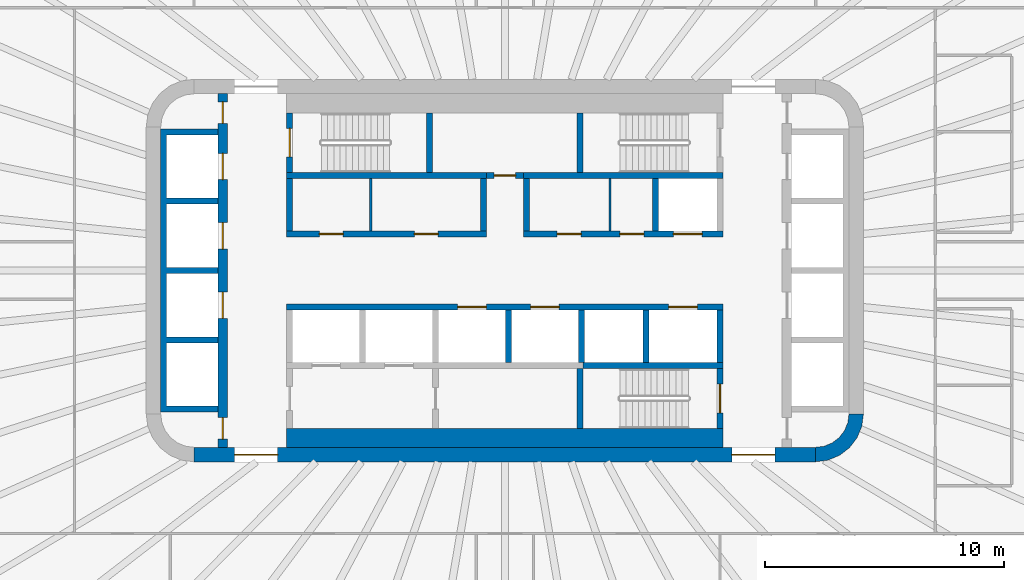
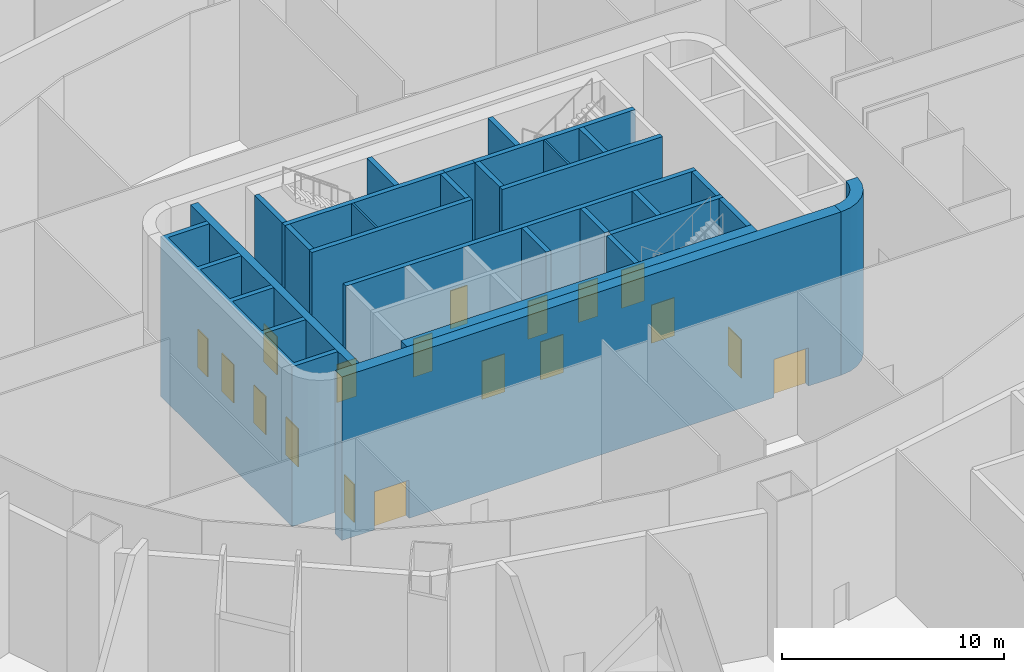
# One storey, part 9 of 35: 27 walls, 18 doors, 18 openings.
"""IFC4 building model written with IfcOpenShell, lengths in metres."""

from ifc_helpers import new_model, si_unit, direction, frame, frame_2d, origin, place, context, subcontext, project, spatial, polyline, rectangle, outline, extrude, material, layer, layer_set, type_object, element, fill, save


model = new_model("IFC4")

# Units and contexts
model_context = context("Model", 3, precision=1e-05, world=origin(), true_north=direction((0.0, 1.0)))
body_context = subcontext(model_context, "Body", "Model", "MODEL_VIEW")
ifc_project = project(units=[si_unit("LENGTHUNIT", "METRE"), si_unit("AREAUNIT", "SQUARE_METRE"), si_unit("VOLUMEUNIT", "CUBIC_METRE"), si_unit("PLANEANGLEUNIT", "RADIAN"), si_unit("MASSUNIT", "GRAM", prefix="KILO")], contexts=[model_context])

# Site, building, storey
site_placement = place(None, origin())
site = spatial("IfcSite", under=ifc_project, at=site_placement, CompositionType="ELEMENT")
building_placement = place(site_placement, origin())
building = spatial("IfcBuilding", under=site, at=building_placement, Name="Sahrelin Media Tower", CompositionType="ELEMENT")
storey_placement = place(building_placement, frame((0.0, 0.0, 8.0)))
storey = spatial("IfcBuildingStorey", under=building, at=storey_placement, Name="L01", CompositionType="ELEMENT", Elevation=8.0)

# Wall, openings, doors
ifc_material_1 = material(Name="Concrete C60/75", Category="concrete")
ifc_layer_1 = layer(ifc_material_1, 0.60009765625)
ifc_layer_set_1 = layer_set([ifc_layer_1], Name="Core wall 600")
wall_type_1 = type_object("IfcWallType", Name="Core wall 600", PredefinedType="SHEAR", material=ifc_layer_set_1)
wall_1_placement = place(storey_placement, frame((-13.0, -7.699951171875, 0.0), z_axis=(0.0, 0.0, 1.0), x_axis=(1.0, 0.0, 0.0)))
wall_1 = element("IfcWall", 1, at=wall_1_placement, inside=storey, type_object=wall_type_1, Name="Core wall S L01", PredefinedType="SHEAR", context=body_context, shape_type="SweptSolid", body=[
    extrude(rectangle(XDim=26.0, YDim=0.60009765625, at=frame_2d((13.0, 0.0))), origin(), (0.0, 0.0, 1.0), 9.0),
])
opening_1_placement = place(wall_1_placement, frame((1.699951171875, 0.0, 0.0)))
opening_1 = element("IfcOpeningElement", 2, at=opening_1_placement, cuts=wall_1, Name="Opening L01-D17", PredefinedType="OPENING", context=body_context, shape_type="SweptSolid", body=[
    extrude(rectangle(XDim=1.800048828125, YDim=2.10009765625, at=frame_2d((0.89990234375, 1.050048828125))), frame((0.0, 0.300048828125, 0.0), z_axis=(0.0, -1.0, 0.0), x_axis=(1.0, 0.0, 0.0)), (0.0, 0.0, 1.0), 0.60009765625),
])
opening_2_placement = place(wall_1_placement, frame((22.5, 0.0, 0.0)))
opening_2 = element("IfcOpeningElement", 3, at=opening_2_placement, cuts=wall_1, Name="Opening L01-D18", PredefinedType="OPENING", context=body_context, shape_type="SweptSolid", body=[
    extrude(rectangle(XDim=1.800048828125, YDim=2.10009765625, at=frame_2d((0.89990234375, 1.050048828125))), frame((0.0, 0.300048828125, 0.0), z_axis=(0.0, -1.0, 0.0), x_axis=(1.0, 0.0, 0.0)), (0.0, 0.0, 1.0), 0.60009765625),
])
ifc_material_2 = material(Name="Steel fire door leaf", Category="steel")
door_type_1 = type_object("IfcDoorType", Name="Lobby double door 1800 x 2100 EI 60", OperationType="DOUBLE_DOOR_SINGLE_SWING", PredefinedType="DOOR", material=ifc_material_2)
door_1_placement = place(opening_1_placement, origin())
door_1 = element("IfcDoor", 4, at=door_1_placement, inside=storey, type_object=door_type_1, Name="Lobby door", OperationType="DOUBLE_DOOR_SINGLE_SWING", OverallHeight=2.10009765625, OverallWidth=1.800048828125, PredefinedType="DOOR", context=body_context, shape_type="SweptSolid", body=[
    extrude(rectangle(XDim=1.800048828125, YDim=2.10009765625, at=frame_2d((0.89990234375, 1.050048828125))), frame((0.0, 0.02490234375, 0.0), z_axis=(0.0, -1.0, 0.0), x_axis=(1.0, 0.0, 0.0)), (0.0, 0.0, 1.0), 0.050048828125),
])
fill(opening_1, door_1)
door_2_placement = place(opening_2_placement, origin())
door_2 = element("IfcDoor", 5, at=door_2_placement, inside=storey, type_object=door_type_1, Name="Lobby door", OperationType="DOUBLE_DOOR_SINGLE_SWING", OverallHeight=2.10009765625, OverallWidth=1.800048828125, PredefinedType="DOOR", context=body_context, shape_type="SweptSolid", body=[
    extrude(rectangle(XDim=1.800048828125, YDim=2.10009765625, at=frame_2d((0.89990234375, 1.050048828125))), frame((0.0, 0.02490234375, 0.0), z_axis=(0.0, -1.0, 0.0), x_axis=(1.0, 0.0, 0.0)), (0.0, 0.0, 1.0), 0.050048828125),
])
fill(opening_2, door_2)

# Wall
placement = place(storey_placement, origin())
element("IfcWall", 6, at=placement, inside=storey, type_object=wall_type_1, Name="Core wall corner SE L01", PredefinedType="SHEAR", context=body_context, shape_type="SweptSolid", body=[
    extrude(outline(polyline([(15.0, -6.0), (14.394775390625, -6.0), (14.347412109375, -6.361083984375), (14.2080078125, -6.697509765625), (13.986328125, -6.986328125), (13.697509765625, -7.2080078125), (13.361083984375, -7.347412109375), (13.0, -7.394775390625), (13.0, -8.0), (13.517578125, -7.931884765625), (14.0, -7.732177734375), (14.414306640625, -7.414306640625), (14.732177734375, -7.0), (14.931884765625, -6.517578125), (15.0, -6.0)])), origin(), (0.0, 0.0, 1.0), 9.0),
])

# Wall, opening, door
ifc_material_3 = material(Name="Fire-rated gypsum board partition")
ifc_layer_2 = layer(ifc_material_3, 0.25)
ifc_layer_set_2 = layer_set([ifc_layer_2], Name="Fire-rated lobby wall 250")
wall_type_2 = type_object("IfcWallType", Name="Fire-rated lobby wall 250", PredefinedType="PARTITIONING", material=ifc_layer_set_2)
wall_3_placement = place(storey_placement, frame((-0.77490234375, 3.97509765625, 0.0), z_axis=(0.0, 0.0, 1.0), x_axis=(1.0, 0.0, 0.0)))
wall_3 = element("IfcWall", 7, at=wall_3_placement, inside=storey, type_object=wall_type_2, Name="Core lobby wall", PredefinedType="PARTITIONING", context=body_context, shape_type="SweptSolid", body=[
    extrude(rectangle(XDim=1.5498046875, YDim=0.25, at=frame_2d((0.77490234375, 0.0))), origin(), (0.0, 0.0, 1.0), 8.800048828125),
])
opening_3_placement = place(wall_3_placement, frame((0.324951171875, 0.0, 0.0)))
opening_3 = element("IfcOpeningElement", 8, at=opening_3_placement, cuts=wall_3, Name="Opening L01-D06", PredefinedType="OPENING", context=body_context, shape_type="SweptSolid", body=[
    extrude(rectangle(XDim=0.89990234375, YDim=2.10009765625, at=frame_2d((0.449951171875, 1.050048828125))), frame((0.0, 0.125, 0.0), z_axis=(0.0, -1.0, 0.0), x_axis=(1.0, 0.0, 0.0)), (0.0, 0.0, 1.0), 0.25),
])
door_type_2 = type_object("IfcDoorType", Name="Riser door 900 x 2100 EI 120", OperationType="NOTDEFINED", PredefinedType="DOOR", material=ifc_material_2)
door_3_placement = place(opening_3_placement, origin())
door_3 = element("IfcDoor", 9, at=door_3_placement, inside=storey, type_object=door_type_2, Name="Core room door", OperationType="SINGLE_SWING_LEFT", OverallHeight=2.10009765625, OverallWidth=0.89990234375, PredefinedType="DOOR", context=body_context, shape_type="SweptSolid", body=[
    extrude(rectangle(XDim=0.89990234375, YDim=2.10009765625, at=frame_2d((0.449951171875, 1.050048828125))), frame((0.0, 0.02490234375, 0.0), z_axis=(0.0, -1.0, 0.0), x_axis=(1.0, 0.0, 0.0)), (0.0, 0.0, 1.0), 0.050048828125),
])
fill(opening_3, door_3)

# Wall, openings, doors
wall_4_placement = place(storey_placement, frame((-9.125, 1.52490234375, 0.0), z_axis=(0.0, 0.0, 1.0), x_axis=(1.0, 0.0, 0.0)))
wall_4 = element("IfcWall", 10, at=wall_4_placement, inside=storey, type_object=wall_type_2, Name="Core lobby wall", PredefinedType="PARTITIONING", context=body_context, shape_type="SweptSolid", body=[
    extrude(rectangle(XDim=8.35009765625, YDim=0.25, at=frame_2d((4.175048828125, 0.0))), origin(), (0.0, 0.0, 1.0), 8.800048828125),
])
opening_4_placement = place(wall_4_placement, frame((1.362548828125, 0.0, 0.0)))
opening_4 = element("IfcOpeningElement", 11, at=opening_4_placement, cuts=wall_4, Name="Opening L01-D07", PredefinedType="OPENING", context=body_context, shape_type="SweptSolid", body=[
    extrude(rectangle(XDim=1.0, YDim=2.10009765625, at=frame_2d((0.5, 1.050048828125))), frame((0.0, 0.125, 0.0), z_axis=(0.0, -1.0, 0.0), x_axis=(1.0, 0.0, 0.0)), (0.0, 0.0, 1.0), 0.25),
])
opening_5_placement = place(wall_4_placement, frame((5.33740234375, 0.0, 0.0)))
opening_5 = element("IfcOpeningElement", 12, at=opening_5_placement, cuts=wall_4, Name="Opening L01-D08", PredefinedType="OPENING", context=body_context, shape_type="SweptSolid", body=[
    extrude(rectangle(XDim=1.0, YDim=2.10009765625, at=frame_2d((0.5, 1.050048828125))), frame((0.0, 0.125, 0.0), z_axis=(0.0, -1.0, 0.0), x_axis=(1.0, 0.0, 0.0)), (0.0, 0.0, 1.0), 0.25),
])
door_type_3 = type_object("IfcDoorType", Name="Fire door 1000 x 2100 EI 60", OperationType="NOTDEFINED", PredefinedType="DOOR", material=ifc_material_2)
door_4_placement = place(opening_4_placement, origin())
door_4 = element("IfcDoor", 13, at=door_4_placement, inside=storey, type_object=door_type_3, Name="Core room door", OperationType="SINGLE_SWING_LEFT", OverallHeight=2.10009765625, OverallWidth=1.0, PredefinedType="DOOR", context=body_context, shape_type="SweptSolid", body=[
    extrude(rectangle(XDim=1.0, YDim=2.10009765625, at=frame_2d((0.5, 1.050048828125))), frame((0.0, 0.02490234375, 0.0), z_axis=(0.0, -1.0, 0.0), x_axis=(1.0, 0.0, 0.0)), (0.0, 0.0, 1.0), 0.050048828125),
])
fill(opening_4, door_4)
door_5_placement = place(opening_5_placement, origin())
door_5 = element("IfcDoor", 14, at=door_5_placement, inside=storey, type_object=door_type_3, Name="Core room door", OperationType="SINGLE_SWING_LEFT", OverallHeight=2.10009765625, OverallWidth=1.0, PredefinedType="DOOR", context=body_context, shape_type="SweptSolid", body=[
    extrude(rectangle(XDim=1.0, YDim=2.10009765625, at=frame_2d((0.5, 1.050048828125))), frame((0.0, 0.02490234375, 0.0), z_axis=(0.0, -1.0, 0.0), x_axis=(1.0, 0.0, 0.0)), (0.0, 0.0, 1.0), 0.050048828125),
])
fill(opening_5, door_5)

# Walls
for number, where, z_axis, x_axis, name in (
    (15, (-9.0, 1.64990234375, 0.0), (0.0, 0.0, 1.0), (0.0, 1.0, 0.0), "Core lobby wall"),
    (16, (-0.89990234375, 1.64990234375, 0.0), (0.0, 0.0, 1.0), (0.0, 1.0, 0.0), "Core lobby wall"),
    (17, (0.89990234375, 1.64990234375, 0.0), (0.0, 0.0, 1.0), (0.0, 1.0, 0.0), "Core lobby wall"),
):
    element("IfcWall", number, at=place(storey_placement, frame(where, z_axis=z_axis, x_axis=x_axis)), inside=storey, type_object=wall_type_2, Name=name, PredefinedType="PARTITIONING", context=body_context, shape_type="SweptSolid", body=[
        extrude(rectangle(XDim=2.2001953125, YDim=0.25, at=frame_2d((1.10009765625, 0.0))), origin(), (0.0, 0.0, 1.0), 8.800048828125),
    ])
ifc_layer_3 = layer(ifc_material_3, 0.10009765625)
ifc_layer_set_3 = layer_set([ifc_layer_3], Name="Fire-rated partition 100")
wall_type_3 = type_object("IfcWallType", Name="Fire-rated partition 100", PredefinedType="PARTITIONING", material=ifc_layer_set_3)
for number, where, z_axis, x_axis, name in (
    (18, (-5.60009765625, 1.64990234375, 0.0), (0.0, 0.0, 1.0), (0.0, 1.0, 0.0), "Core room partition"),
    (19, (4.39990234375, 1.64990234375, 0.0), (0.0, 0.0, 1.0), (0.0, 1.0, 0.0), "Core room partition"),
):
    element("IfcWall", number, at=place(storey_placement, frame(where, z_axis=z_axis, x_axis=x_axis)), inside=storey, type_object=wall_type_3, Name=name, PredefinedType="PARTITIONING", context=body_context, shape_type="SweptSolid", body=[
        extrude(rectangle(XDim=2.2001953125, YDim=0.10009765625, at=frame_2d((1.10009765625, 0.0))), origin(), (0.0, 0.0, 1.0), 8.800048828125),
    ])

# Wall, openings, doors
ifc_layer_4 = layer(ifc_material_1, 0.25)
ifc_layer_set_4 = layer_set([ifc_layer_4], Name="Lift shaft wall 250")
wall_type_4 = type_object("IfcWallType", Name="Lift shaft wall 250", PredefinedType="SOLIDWALL", material=ifc_layer_set_4)
wall_5_placement = place(storey_placement, frame((0.77490234375, 1.52490234375, 0.0), z_axis=(0.0, 0.0, 1.0), x_axis=(1.0, 0.0, 0.0)))
wall_5 = element("IfcWall", 20, at=wall_5_placement, inside=storey, type_object=wall_type_4, Name="Lift shaft wall", PredefinedType="SOLIDWALL", context=body_context, shape_type="SweptSolid", body=[
    extrude(rectangle(XDim=8.35009765625, YDim=0.25, at=frame_2d((4.175048828125, 0.0))), origin(), (0.0, 0.0, 1.0), 8.800048828125),
])
opening_6_placement = place(wall_5_placement, frame((6.27490234375, 0.0, 0.0)))
opening_6 = element("IfcOpeningElement", 21, at=opening_6_placement, cuts=wall_5, Name="Opening L01-LD-PR2", PredefinedType="OPENING", context=body_context, shape_type="SweptSolid", body=[
    extrude(rectangle(XDim=1.199951171875, YDim=2.10009765625, at=frame_2d((0.60009765625, 1.050048828125))), frame((0.0, 0.125, 0.0), z_axis=(0.0, -1.0, 0.0), x_axis=(1.0, 0.0, 0.0)), (0.0, 0.0, 1.0), 0.25),
])
opening_7_placement = place(wall_5_placement, frame((1.41259765625, 0.0, 0.0)))
opening_7 = element("IfcOpeningElement", 22, at=opening_7_placement, cuts=wall_5, Name="Opening L01-D09", PredefinedType="OPENING", context=body_context, shape_type="SweptSolid", body=[
    extrude(rectangle(XDim=1.0, YDim=2.10009765625, at=frame_2d((0.5, 1.050048828125))), frame((0.0, 0.125, 0.0), z_axis=(0.0, -1.0, 0.0), x_axis=(1.0, 0.0, 0.0)), (0.0, 0.0, 1.0), 0.25),
])
opening_8_placement = place(wall_5_placement, frame((4.03759765625, 0.0, 0.0)))
opening_8 = element("IfcOpeningElement", 23, at=opening_8_placement, cuts=wall_5, Name="Opening L01-D10", PredefinedType="OPENING", context=body_context, shape_type="SweptSolid", body=[
    extrude(rectangle(XDim=1.0, YDim=2.10009765625, at=frame_2d((0.5, 1.050048828125))), frame((0.0, 0.125, 0.0), z_axis=(0.0, -1.0, 0.0), x_axis=(1.0, 0.0, 0.0)), (0.0, 0.0, 1.0), 0.25),
])
door_6_placement = place(opening_7_placement, origin())
door_6 = element("IfcDoor", 24, at=door_6_placement, inside=storey, type_object=door_type_3, Name="Core room door", OperationType="SINGLE_SWING_LEFT", OverallHeight=2.10009765625, OverallWidth=1.0, PredefinedType="DOOR", context=body_context, shape_type="SweptSolid", body=[
    extrude(rectangle(XDim=1.0, YDim=2.10009765625, at=frame_2d((0.5, 1.050048828125))), frame((0.0, 0.02490234375, 0.0), z_axis=(0.0, -1.0, 0.0), x_axis=(1.0, 0.0, 0.0)), (0.0, 0.0, 1.0), 0.050048828125),
])
fill(opening_7, door_6)
door_7_placement = place(opening_8_placement, origin())
door_7 = element("IfcDoor", 25, at=door_7_placement, inside=storey, type_object=door_type_3, Name="Core room door", OperationType="SINGLE_SWING_LEFT", OverallHeight=2.10009765625, OverallWidth=1.0, PredefinedType="DOOR", context=body_context, shape_type="SweptSolid", body=[
    extrude(rectangle(XDim=1.0, YDim=2.10009765625, at=frame_2d((0.5, 1.050048828125))), frame((0.0, 0.02490234375, 0.0), z_axis=(0.0, -1.0, 0.0), x_axis=(1.0, 0.0, 0.0)), (0.0, 0.0, 1.0), 0.050048828125),
])
fill(opening_8, door_7)
ifc_material_4 = material(Name="Stainless steel", Category="steel")
door_type_4 = type_object("IfcDoorType", Name="Lift landing door 1200 x 2100 EI 120", OperationType="DOUBLE_DOOR_SLIDING", PredefinedType="DOOR", material=ifc_material_4)
door_8_placement = place(opening_6_placement, origin())
door_8 = element("IfcDoor", 26, at=door_8_placement, inside=storey, type_object=door_type_4, Name="Lift landing door PR2", OperationType="DOUBLE_DOOR_SLIDING", OverallHeight=2.10009765625, OverallWidth=1.199951171875, PredefinedType="DOOR", context=body_context, shape_type="SweptSolid", body=[
    extrude(rectangle(XDim=1.199951171875, YDim=2.10009765625, at=frame_2d((0.60009765625, 1.050048828125))), frame((0.0, 0.02490234375, 0.0), z_axis=(0.0, -1.0, 0.0), x_axis=(1.0, 0.0, 0.0)), (0.0, 0.0, 1.0), 0.050048828125),
])
fill(opening_6, door_8)

# Wall
wall_6_placement = place(storey_placement, frame((6.300048828125, 1.64990234375, 0.0), z_axis=(0.0, 0.0, 1.0), x_axis=(0.0, 1.0, 0.0)))
element("IfcWall", 27, at=wall_6_placement, inside=storey, type_object=wall_type_4, Name="Lift shaft wall", PredefinedType="SOLIDWALL", context=body_context, shape_type="SweptSolid", body=[
    extrude(rectangle(XDim=2.2001953125, YDim=0.25, at=frame_2d((1.10009765625, 0.0))), origin(), (0.0, 0.0, 1.0), 8.800048828125),
])

# Wall, openings, doors
wall_7_placement = place(storey_placement, frame((-9.125, -1.52490234375, 0.0), z_axis=(0.0, 0.0, 1.0), x_axis=(1.0, 0.0, 0.0)))
wall_7 = element("IfcWall", 28, at=wall_7_placement, inside=storey, type_object=wall_type_4, Name="Lift shaft wall", PredefinedType="SOLIDWALL", context=body_context, shape_type="SweptSolid", body=[
    extrude(rectangle(XDim=18.25, YDim=0.25, at=frame_2d((9.125, 0.0))), origin(), (0.0, 0.0, 1.0), 8.800048828125),
])
opening_9_placement = place(wall_7_placement, frame((7.14990234375, 0.0, 0.0)))
opening_9 = element("IfcOpeningElement", 29, at=opening_9_placement, cuts=wall_7, Name="Opening L01-LD-SV1", PredefinedType="OPENING", context=body_context, shape_type="SweptSolid", body=[
    extrude(rectangle(XDim=1.199951171875, YDim=2.10009765625, at=frame_2d((0.60009765625, 1.050048828125))), frame((0.0, 0.125, 0.0), z_axis=(0.0, -1.0, 0.0), x_axis=(1.0, 0.0, 0.0)), (0.0, 0.0, 1.0), 0.25),
])
opening_10_placement = place(wall_7_placement, frame((10.199951171875, 0.0, 0.0)))
opening_10 = element("IfcOpeningElement", 30, at=opening_10_placement, cuts=wall_7, Name="Opening L01-LD-SV2", PredefinedType="OPENING", context=body_context, shape_type="SweptSolid", body=[
    extrude(rectangle(XDim=1.199951171875, YDim=2.10009765625, at=frame_2d((0.60009765625, 1.050048828125))), frame((0.0, 0.125, 0.0), z_axis=(0.0, -1.0, 0.0), x_axis=(1.0, 0.0, 0.0)), (0.0, 0.0, 1.0), 0.25),
])
opening_11_placement = place(wall_7_placement, frame((15.97509765625, 0.0, 0.0)))
opening_11 = element("IfcOpeningElement", 31, at=opening_11_placement, cuts=wall_7, Name="Opening L01-LD-PR1", PredefinedType="OPENING", context=body_context, shape_type="SweptSolid", body=[
    extrude(rectangle(XDim=1.199951171875, YDim=2.10009765625, at=frame_2d((0.60009765625, 1.050048828125))), frame((0.0, 0.125, 0.0), z_axis=(0.0, -1.0, 0.0), x_axis=(1.0, 0.0, 0.0)), (0.0, 0.0, 1.0), 0.25),
])
door_9_placement = place(opening_9_placement, origin())
door_9 = element("IfcDoor", 32, at=door_9_placement, inside=storey, type_object=door_type_4, Name="Lift landing door SV1", OperationType="DOUBLE_DOOR_SLIDING", OverallHeight=2.10009765625, OverallWidth=1.199951171875, PredefinedType="DOOR", context=body_context, shape_type="SweptSolid", body=[
    extrude(rectangle(XDim=1.199951171875, YDim=2.10009765625, at=frame_2d((0.60009765625, 1.050048828125))), frame((0.0, 0.02490234375, 0.0), z_axis=(0.0, -1.0, 0.0), x_axis=(1.0, 0.0, 0.0)), (0.0, 0.0, 1.0), 0.050048828125),
])
fill(opening_9, door_9)
door_10_placement = place(opening_10_placement, origin())
door_10 = element("IfcDoor", 33, at=door_10_placement, inside=storey, type_object=door_type_4, Name="Lift landing door SV2", OperationType="DOUBLE_DOOR_SLIDING", OverallHeight=2.10009765625, OverallWidth=1.199951171875, PredefinedType="DOOR", context=body_context, shape_type="SweptSolid", body=[
    extrude(rectangle(XDim=1.199951171875, YDim=2.10009765625, at=frame_2d((0.60009765625, 1.050048828125))), frame((0.0, 0.02490234375, 0.0), z_axis=(0.0, -1.0, 0.0), x_axis=(1.0, 0.0, 0.0)), (0.0, 0.0, 1.0), 0.050048828125),
])
fill(opening_10, door_10)
door_11_placement = place(opening_11_placement, origin())
door_11 = element("IfcDoor", 34, at=door_11_placement, inside=storey, type_object=door_type_4, Name="Lift landing door PR1", OperationType="DOUBLE_DOOR_SLIDING", OverallHeight=2.10009765625, OverallWidth=1.199951171875, PredefinedType="DOOR", context=body_context, shape_type="SweptSolid", body=[
    extrude(rectangle(XDim=1.199951171875, YDim=2.10009765625, at=frame_2d((0.60009765625, 1.050048828125))), frame((0.0, 0.02490234375, 0.0), z_axis=(0.0, -1.0, 0.0), x_axis=(1.0, 0.0, 0.0)), (0.0, 0.0, 1.0), 0.050048828125),
])
fill(opening_11, door_11)

# Walls
wall_8_placement = place(storey_placement, frame((3.27490234375, -3.97509765625, 0.0), z_axis=(0.0, 0.0, 1.0), x_axis=(1.0, 0.0, 0.0)))
element("IfcWall", 35, at=wall_8_placement, inside=storey, type_object=wall_type_4, Name="Lift shaft wall", PredefinedType="SOLIDWALL", context=body_context, shape_type="SweptSolid", body=[
    extrude(rectangle(XDim=5.85009765625, YDim=0.25, at=frame_2d((2.925048828125, 0.0))), origin(), (0.0, 0.0, 1.0), 8.800048828125),
])
for number, where, z_axis, x_axis, name in (
    (36, (0.14990234375, -3.85009765625, 0.0), (0.0, 0.0, 1.0), (0.0, 1.0, 0.0), "Lift shaft wall"),
    (37, (3.199951171875, -3.85009765625, 0.0), (0.0, 0.0, 1.0), (0.0, 1.0, 0.0), "Lift shaft wall"),
    (38, (5.89990234375, -3.85009765625, 0.0), (0.0, 0.0, 1.0), (0.0, 1.0, 0.0), "Lift shaft wall"),
    (39, (9.0, -3.85009765625, 0.0), (0.0, 0.0, 1.0), (0.0, 1.0, 0.0), "Lift shaft wall"),
):
    element("IfcWall", number, at=place(storey_placement, frame(where, z_axis=z_axis, x_axis=x_axis)), inside=storey, type_object=wall_type_4, Name=name, PredefinedType="SOLIDWALL", context=body_context, shape_type="SweptSolid", body=[
        extrude(rectangle(XDim=2.2001953125, YDim=0.25, at=frame_2d((1.10009765625, 0.0))), origin(), (0.0, 0.0, 1.0), 8.800048828125),
    ])
element("IfcWall", 40, at=placement, inside=storey, type_object=wall_type_4, Name="Lift shaft wall", PredefinedType="SOLIDWALL", context=body_context, shape_type="SweptSolid", body=[
    extrude(outline(polyline([(-12.0, -5.925048828125), (-12.0, -5.675048828125), (-14.14990234375, -5.675048828125), (-14.14990234375, -3.02490234375), (-12.0, -3.02490234375), (-12.0, -2.77490234375), (-14.14990234375, -2.77490234375), (-14.14990234375, -0.125), (-12.0, -0.125), (-12.0, 0.125), (-14.14990234375, 0.125), (-14.14990234375, 2.77490234375), (-12.0, 2.77490234375), (-12.0, 3.02490234375), (-14.14990234375, 3.02490234375), (-14.14990234375, 5.675048828125), (-12.0, 5.675048828125), (-12.0, 5.925048828125), (-14.14990234375, 5.925048828125), (-14.39990234375, 5.925048828125), (-14.39990234375, 5.675048828125), (-14.39990234375, 3.02490234375), (-14.39990234375, 2.77490234375), (-14.39990234375, 0.125), (-14.39990234375, -0.125), (-14.39990234375, -2.77490234375), (-14.39990234375, -3.02490234375), (-14.39990234375, -5.675048828125), (-14.39990234375, -5.925048828125), (-14.14990234375, -5.925048828125), (-12.0, -5.925048828125)])), origin(), (0.0, 0.0, 1.0), 8.800048828125),
])

# Wall, openings, doors
ifc_layer_5 = layer(ifc_material_1, 0.39990234375)
ifc_layer_set_5 = layer_set([ifc_layer_5], Name="Lift shaft wall 400")
wall_type_5 = type_object("IfcWallType", Name="Lift shaft wall 400", PredefinedType="SOLIDWALL", material=ifc_layer_set_5)
wall_10_placement = place(storey_placement, frame((-11.800048828125, -7.39990234375, 0.0), z_axis=(0.0, 0.0, 1.0), x_axis=(0.0, 1.0, 0.0)))
wall_10 = element("IfcWall", 41, at=wall_10_placement, inside=storey, type_object=wall_type_5, Name="Lift shaft wall", PredefinedType="SOLIDWALL", context=body_context, shape_type="SweptSolid", body=[
    extrude(rectangle(XDim=14.7998046875, YDim=0.39990234375, at=frame_2d((7.39990234375, 0.0))), origin(), (0.0, 0.0, 1.0), 8.800048828125),
])
opening_12_placement = place(wall_10_placement, frame((11.199951171875, 0.0, 0.0)))
opening_12 = element("IfcOpeningElement", 42, at=opening_12_placement, cuts=wall_10, Name="Opening L01-LD-LR1", PredefinedType="OPENING", context=body_context, shape_type="SweptSolid", body=[
    extrude(rectangle(XDim=1.10009765625, YDim=2.10009765625, at=frame_2d((0.550048828125, 1.050048828125))), frame((0.0, 0.199951171875, 0.0), z_axis=(0.0, -1.0, 0.0), x_axis=(1.0, 0.0, 0.0)), (0.0, 0.0, 1.0), 0.39990234375),
])
opening_13_placement = place(wall_10_placement, frame((8.300048828125, 0.0, 0.0)))
opening_13 = element("IfcOpeningElement", 43, at=opening_13_placement, cuts=wall_10, Name="Opening L01-LD-LR2", PredefinedType="OPENING", context=body_context, shape_type="SweptSolid", body=[
    extrude(rectangle(XDim=1.10009765625, YDim=2.10009765625, at=frame_2d((0.550048828125, 1.050048828125))), frame((0.0, 0.199951171875, 0.0), z_axis=(0.0, -1.0, 0.0), x_axis=(1.0, 0.0, 0.0)), (0.0, 0.0, 1.0), 0.39990234375),
])
opening_14_placement = place(wall_10_placement, frame((5.39990234375, 0.0, 0.0)))
opening_14 = element("IfcOpeningElement", 44, at=opening_14_placement, cuts=wall_10, Name="Opening L01-LD-LR3", PredefinedType="OPENING", context=body_context, shape_type="SweptSolid", body=[
    extrude(rectangle(XDim=1.10009765625, YDim=2.10009765625, at=frame_2d((0.550048828125, 1.050048828125))), frame((0.0, 0.199951171875, 0.0), z_axis=(0.0, -1.0, 0.0), x_axis=(1.0, 0.0, 0.0)), (0.0, 0.0, 1.0), 0.39990234375),
])
opening_15_placement = place(wall_10_placement, frame((13.552490234375, 0.0, 0.0)))
opening_15 = element("IfcOpeningElement", 45, at=opening_15_placement, cuts=wall_10, Name="Opening L01-D11", PredefinedType="OPENING", context=body_context, shape_type="SweptSolid", body=[
    extrude(rectangle(XDim=0.89990234375, YDim=2.10009765625, at=frame_2d((0.449951171875, 1.050048828125))), frame((0.0, 0.199951171875, 0.0), z_axis=(0.0, -1.0, 0.0), x_axis=(1.0, 0.0, 0.0)), (0.0, 0.0, 1.0), 0.39990234375),
])
opening_16_placement = place(wall_10_placement, frame((0.347412109375, 0.0, 0.0)))
opening_16 = element("IfcOpeningElement", 46, at=opening_16_placement, cuts=wall_10, Name="Opening L01-D12", PredefinedType="OPENING", context=body_context, shape_type="SweptSolid", body=[
    extrude(rectangle(XDim=0.89990234375, YDim=2.10009765625, at=frame_2d((0.449951171875, 1.050048828125))), frame((0.0, 0.199951171875, 0.0), z_axis=(0.0, -1.0, 0.0), x_axis=(1.0, 0.0, 0.0)), (0.0, 0.0, 1.0), 0.39990234375),
])
door_type_5 = type_object("IfcDoorType", Name="Lift landing door 1100 x 2100 EI 120", OperationType="DOUBLE_DOOR_SLIDING", PredefinedType="DOOR", material=ifc_material_4)
door_12_placement = place(opening_12_placement, origin())
door_12 = element("IfcDoor", 47, at=door_12_placement, inside=storey, type_object=door_type_5, Name="Lift landing door LR1", OperationType="DOUBLE_DOOR_SLIDING", OverallHeight=2.10009765625, OverallWidth=1.10009765625, PredefinedType="DOOR", context=body_context, shape_type="SweptSolid", body=[
    extrude(rectangle(XDim=1.10009765625, YDim=2.10009765625, at=frame_2d((0.550048828125, 1.050048828125))), frame((0.0, 0.02490234375, 0.0), z_axis=(0.0, -1.0, 0.0), x_axis=(1.0, 0.0, 0.0)), (0.0, 0.0, 1.0), 0.050048828125),
])
fill(opening_12, door_12)
door_13_placement = place(opening_13_placement, origin())
door_13 = element("IfcDoor", 48, at=door_13_placement, inside=storey, type_object=door_type_5, Name="Lift landing door LR2", OperationType="DOUBLE_DOOR_SLIDING", OverallHeight=2.10009765625, OverallWidth=1.10009765625, PredefinedType="DOOR", context=body_context, shape_type="SweptSolid", body=[
    extrude(rectangle(XDim=1.10009765625, YDim=2.10009765625, at=frame_2d((0.550048828125, 1.050048828125))), frame((0.0, 0.02490234375, 0.0), z_axis=(0.0, -1.0, 0.0), x_axis=(1.0, 0.0, 0.0)), (0.0, 0.0, 1.0), 0.050048828125),
])
fill(opening_13, door_13)
door_14_placement = place(opening_14_placement, origin())
door_14 = element("IfcDoor", 49, at=door_14_placement, inside=storey, type_object=door_type_5, Name="Lift landing door LR3", OperationType="DOUBLE_DOOR_SLIDING", OverallHeight=2.10009765625, OverallWidth=1.10009765625, PredefinedType="DOOR", context=body_context, shape_type="SweptSolid", body=[
    extrude(rectangle(XDim=1.10009765625, YDim=2.10009765625, at=frame_2d((0.550048828125, 1.050048828125))), frame((0.0, 0.02490234375, 0.0), z_axis=(0.0, -1.0, 0.0), x_axis=(1.0, 0.0, 0.0)), (0.0, 0.0, 1.0), 0.050048828125),
])
fill(opening_14, door_14)
door_15_placement = place(opening_15_placement, origin())
door_15 = element("IfcDoor", 50, at=door_15_placement, inside=storey, type_object=door_type_2, Name="Riser door", OperationType="SINGLE_SWING_LEFT", OverallHeight=2.10009765625, OverallWidth=0.89990234375, PredefinedType="DOOR", context=body_context, shape_type="SweptSolid", body=[
    extrude(rectangle(XDim=0.89990234375, YDim=2.10009765625, at=frame_2d((0.449951171875, 1.050048828125))), frame((0.0, 0.02490234375, 0.0), z_axis=(0.0, -1.0, 0.0), x_axis=(1.0, 0.0, 0.0)), (0.0, 0.0, 1.0), 0.050048828125),
])
fill(opening_15, door_15)
door_16_placement = place(opening_16_placement, origin())
door_16 = element("IfcDoor", 51, at=door_16_placement, inside=storey, type_object=door_type_2, Name="Riser door", OperationType="SINGLE_SWING_LEFT", OverallHeight=2.10009765625, OverallWidth=0.89990234375, PredefinedType="DOOR", context=body_context, shape_type="SweptSolid", body=[
    extrude(rectangle(XDim=0.89990234375, YDim=2.10009765625, at=frame_2d((0.449951171875, 1.050048828125))), frame((0.0, 0.02490234375, 0.0), z_axis=(0.0, -1.0, 0.0), x_axis=(1.0, 0.0, 0.0)), (0.0, 0.0, 1.0), 0.050048828125),
])
fill(opening_16, door_16)

# Wall, opening, door
ifc_layer_6 = layer(ifc_material_1, 0.25)
ifc_layer_set_6 = layer_set([ifc_layer_6], Name="Stair enclosure wall 250")
wall_type_6 = type_object("IfcWallType", Name="Stair enclosure wall 250", PredefinedType="SOLIDWALL", material=ifc_layer_set_6)
wall_11_placement = place(storey_placement, frame((-9.0, 4.10009765625, 0.0), z_axis=(0.0, 0.0, 1.0), x_axis=(0.0, 1.0, 0.0)))
wall_11 = element("IfcWall", 52, at=wall_11_placement, inside=storey, type_object=wall_type_6, Name="Stair enclosure wall", PredefinedType="SOLIDWALL", context=body_context, shape_type="SweptSolid", body=[
    extrude(rectangle(XDim=2.5, YDim=0.25, at=frame_2d((1.25, 0.0))), origin(), (0.0, 0.0, 1.0), 8.800048828125),
])
opening_17_placement = place(wall_11_placement, frame((0.64990234375, 0.0, 0.0)))
opening_17 = element("IfcOpeningElement", 53, at=opening_17_placement, cuts=wall_11, Name="Opening L01-D01", PredefinedType="OPENING", context=body_context, shape_type="SweptSolid", body=[
    extrude(rectangle(XDim=1.199951171875, YDim=2.10009765625, at=frame_2d((0.60009765625, 1.050048828125))), frame((0.0, 0.125, 0.0), z_axis=(0.0, -1.0, 0.0), x_axis=(1.0, 0.0, 0.0)), (0.0, 0.0, 1.0), 0.25),
])
door_type_6 = type_object("IfcDoorType", Name="Stair door 1200 x 2100 EI 120", OperationType="NOTDEFINED", PredefinedType="DOOR", material=ifc_material_2)
door_17_placement = place(opening_17_placement, origin())
door_17 = element("IfcDoor", 54, at=door_17_placement, inside=storey, type_object=door_type_6, Name="Stair door ST1", OperationType="SINGLE_SWING_RIGHT", OverallHeight=2.10009765625, OverallWidth=1.199951171875, PredefinedType="DOOR", context=body_context, shape_type="SweptSolid", body=[
    extrude(rectangle(XDim=1.199951171875, YDim=2.10009765625, at=frame_2d((0.60009765625, 1.050048828125))), frame((0.0, 0.02490234375, 0.0), z_axis=(0.0, -1.0, 0.0), x_axis=(1.0, 0.0, 0.0)), (0.0, 0.0, 1.0), 0.050048828125),
])
fill(opening_17, door_17)

wall_12_placement = place(storey_placement, frame((9.0, -6.60009765625, 0.0), z_axis=(0.0, 0.0, 1.0), x_axis=(0.0, 1.0, 0.0)))
wall_12 = element("IfcWall", 55, at=wall_12_placement, inside=storey, type_object=wall_type_6, Name="Stair enclosure wall", PredefinedType="SOLIDWALL", context=body_context, shape_type="SweptSolid", body=[
    extrude(rectangle(XDim=2.5, YDim=0.25, at=frame_2d((1.25, 0.0))), origin(), (0.0, 0.0, 1.0), 8.800048828125),
])
opening_18_placement = place(wall_12_placement, frame((0.64990234375, 0.0, 0.0)))
opening_18 = element("IfcOpeningElement", 56, at=opening_18_placement, cuts=wall_12, Name="Opening L01-D03", PredefinedType="OPENING", context=body_context, shape_type="SweptSolid", body=[
    extrude(rectangle(XDim=1.199951171875, YDim=2.10009765625, at=frame_2d((0.60009765625, 1.050048828125))), frame((0.0, 0.125, 0.0), z_axis=(0.0, -1.0, 0.0), x_axis=(1.0, 0.0, 0.0)), (0.0, 0.0, 1.0), 0.25),
])
door_18_placement = place(opening_18_placement, origin())
door_18 = element("IfcDoor", 57, at=door_18_placement, inside=storey, type_object=door_type_6, Name="Stair door ST2", OperationType="SINGLE_SWING_LEFT", OverallHeight=2.10009765625, OverallWidth=1.199951171875, PredefinedType="DOOR", context=body_context, shape_type="SweptSolid", body=[
    extrude(rectangle(XDim=1.199951171875, YDim=2.10009765625, at=frame_2d((0.60009765625, 1.050048828125))), frame((0.0, 0.02490234375, 0.0), z_axis=(0.0, -1.0, 0.0), x_axis=(1.0, 0.0, 0.0)), (0.0, 0.0, 1.0), 0.050048828125),
])
fill(opening_18, door_18)

# Walls
for number, where, z_axis, x_axis, name in (
    (58, (-3.14990234375, 4.10009765625, 0.0), (0.0, 0.0, 1.0), (0.0, 1.0, 0.0), "Stair enclosure wall"),
    (59, (3.14990234375, 4.10009765625, 0.0), (0.0, 0.0, 1.0), (0.0, 1.0, 0.0), "Stair enclosure wall"),
    (60, (3.14990234375, -6.60009765625, 0.0), (0.0, 0.0, 1.0), (0.0, 1.0, 0.0), "Stair enclosure wall"),
):
    element("IfcWall", number, at=place(storey_placement, frame(where, z_axis=z_axis, x_axis=x_axis)), inside=storey, type_object=wall_type_6, Name=name, PredefinedType="SOLIDWALL", context=body_context, shape_type="SweptSolid", body=[
        extrude(rectangle(XDim=2.5, YDim=0.25, at=frame_2d((1.25, 0.0))), origin(), (0.0, 0.0, 1.0), 8.800048828125),
    ])
for number, where, z_axis, x_axis, name in (
    (61, (-9.125, 3.97509765625, 0.0), (0.0, 0.0, 1.0), (1.0, 0.0, 0.0), "Stair enclosure wall"),
    (62, (0.77490234375, 3.97509765625, 0.0), (0.0, 0.0, 1.0), (1.0, 0.0, 0.0), "Stair enclosure wall"),
):
    element("IfcWall", number, at=place(storey_placement, frame(where, z_axis=z_axis, x_axis=x_axis)), inside=storey, type_object=wall_type_6, Name=name, PredefinedType="SOLIDWALL", context=body_context, shape_type="SweptSolid", body=[
        extrude(rectangle(XDim=8.35009765625, YDim=0.25, at=frame_2d((4.175048828125, 0.0))), origin(), (0.0, 0.0, 1.0), 8.800048828125),
    ])
ifc_layer_7 = layer(ifc_material_1, 0.800048828125)
ifc_layer_set_7 = layer_set([ifc_layer_7], Name="Stair enclosure wall 800")
wall_type_7 = type_object("IfcWallType", Name="Stair enclosure wall 800", PredefinedType="SOLIDWALL", material=ifc_layer_set_7)
wall_13_placement = place(storey_placement, frame((-9.125, -7.0, 0.0), z_axis=(0.0, 0.0, 1.0), x_axis=(1.0, 0.0, 0.0)))
element("IfcWall", 63, at=wall_13_placement, inside=storey, type_object=wall_type_7, Name="Stair enclosure wall", PredefinedType="SOLIDWALL", context=body_context, shape_type="SweptSolid", body=[
    extrude(rectangle(XDim=18.25, YDim=0.800048828125, at=frame_2d((9.125, 0.0))), origin(), (0.0, 0.0, 1.0), 8.800048828125),
])

save(model, "model.ifc")
